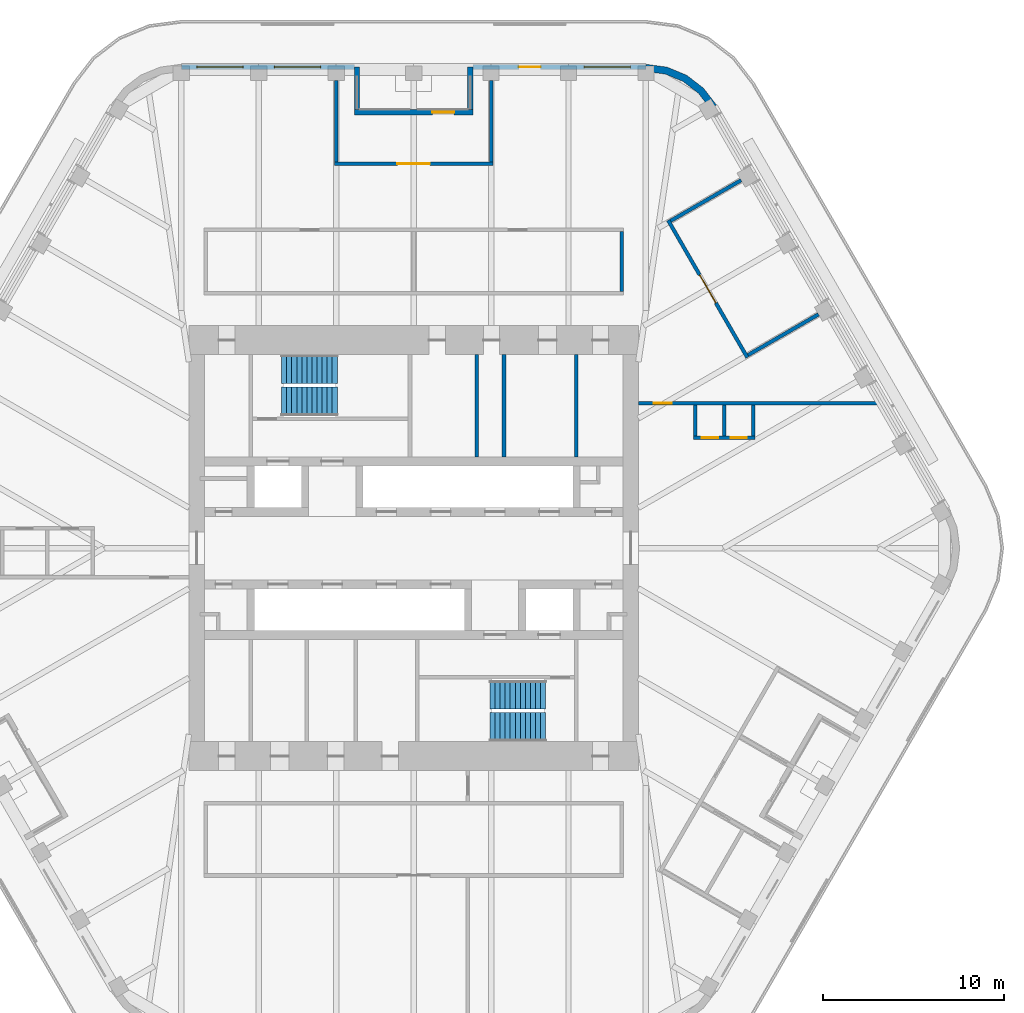
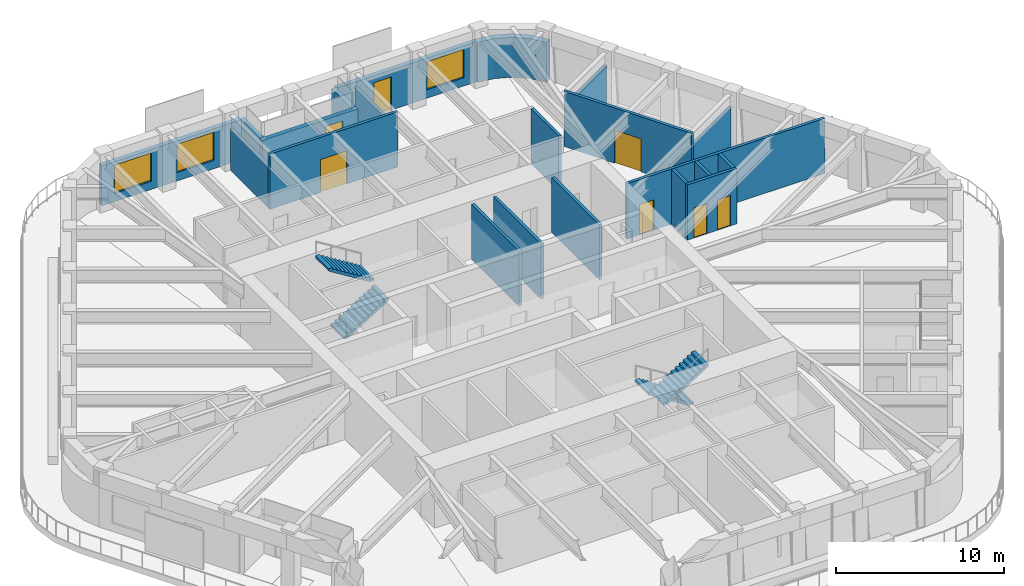
# One storey, part 16 of 19: 21 walls, 7 doors, 4 stair flights, 3 windows, 10 openings, 2 elements without a shape of their own.
"""IFC4 building model written with IfcOpenShell, lengths in metres."""

from ifc_helpers import new_model, si_unit, direction, frame, frame_2d, origin, place, context, subcontext, project, spatial, polyline, rectangle, outline, extrude, material, layer, layer_set, type_object, element, fill, aggregate, save


model = new_model("IFC4")

# Units and contexts
model_context = context("Model", 3, precision=1e-05, world=origin(), true_north=direction((0.0, 1.0)))
body_context = subcontext(model_context, "Body", "Model", "MODEL_VIEW")
ifc_project = project(units=[si_unit("LENGTHUNIT", "METRE"), si_unit("AREAUNIT", "SQUARE_METRE"), si_unit("VOLUMEUNIT", "CUBIC_METRE"), si_unit("PLANEANGLEUNIT", "RADIAN"), si_unit("MASSUNIT", "GRAM", prefix="KILO")], contexts=[model_context])

# Site, building, storey
site_placement = place(None, origin())
site = spatial("IfcSite", under=ifc_project, at=site_placement, CompositionType="ELEMENT")
building_placement = place(site_placement, origin())
building = spatial("IfcBuilding", under=site, at=building_placement, Name="Tarfa Lantern Tower", CompositionType="ELEMENT")
storey_placement = place(building_placement, frame((0.0, 0.0, 357.699951171875)))
storey = spatial("IfcBuildingStorey", under=building, at=storey_placement, Name="L81", CompositionType="ELEMENT", Elevation=357.699951171875)

# Wall, openings, door, window
ifc_material_1 = material(Name="Limestone cladding on blockwork", Category="masonry")
ifc_layer_1 = layer(ifc_material_1, 0.300048828125)
ifc_layer_set_1 = layer_set([ifc_layer_1], Name="EW1 STONE-CLAD WALL 300")
wall_type_1 = type_object("IfcWallType", Name="EW1 STONE-CLAD WALL 300", PredefinedType="SOLIDWALL", material=ifc_layer_set_1)
wall_1_placement = place(storey_placement, frame((12.845947265625, 26.60009765625, 0.0), z_axis=(0.0, 0.0, 1.0), x_axis=(-1.0, 0.0, 0.0)))
wall_1 = element("IfcWall", 1, at=wall_1_placement, inside=storey, type_object=wall_type_1, Name="Stone wall N", PredefinedType="SOLIDWALL", context=body_context, shape_type="SweptSolid", body=[
    extrude(rectangle(XDim=9.56396484375, YDim=0.300048828125, at=frame_2d((4.781982421875, 0.0))), origin(), (0.0, 0.0, 1.0), 2.900146484375),
])
opening_1_placement = place(wall_1_placement, frame((0.865966796875, 0.0, 0.60009765625)))
opening_1 = element("IfcOpeningElement", 2, at=opening_1_placement, cuts=wall_1, Name="Opening W17", PredefinedType="OPENING", context=body_context, shape_type="SweptSolid", body=[
    extrude(rectangle(XDim=2.550048828125, YDim=2.050048828125, at=frame_2d((1.27490234375, 1.02490234375))), frame((0.0, 0.159912109375, 0.0), z_axis=(0.0, -1.0, 0.0), x_axis=(1.0, 0.0, 0.0)), (0.0, 0.0, 1.0), 0.320068359375),
])
opening_2_placement = place(wall_1_placement, frame((5.822998046875, 0.0, 0.0)))
opening_2 = element("IfcOpeningElement", 3, at=opening_2_placement, cuts=wall_1, Name="Opening D38", PredefinedType="OPENING", context=body_context, shape_type="SweptSolid", body=[
    extrude(rectangle(XDim=1.199951171875, YDim=2.39990234375, at=frame_2d((0.60009765625, 1.199951171875))), frame((0.0, 0.159912109375, 0.0), z_axis=(0.0, -1.0, 0.0), x_axis=(1.0, 0.0, 0.0)), (0.0, 0.0, 1.0), 0.320068359375),
])
ifc_material_2 = material(Name="Aluminium framed glazed door", Category="aluminium")
door_type_1 = type_object("IfcDoorType", Name="BE3 BALCONY DOOR 1200x2400", OperationType="SINGLE_SWING_RIGHT", PredefinedType="DOOR", material=ifc_material_2)
door_1_placement = place(opening_2_placement, origin())
door_1 = element("IfcDoor", 4, at=door_1_placement, inside=storey, type_object=door_type_1, Name="Balcony door N", OperationType="SINGLE_SWING_LEFT", OverallHeight=2.39990234375, OverallWidth=1.199951171875, PredefinedType="DOOR", context=body_context, shape_type="SweptSolid", body=[
    extrude(rectangle(XDim=1.199951171875, YDim=2.39990234375, at=frame_2d((0.60009765625, 1.199951171875))), frame((0.0, 0.02490234375, 0.0), z_axis=(0.0, -1.0, 0.0), x_axis=(1.0, 0.0, 0.0)), (0.0, 0.0, 1.0), 0.050048828125),
])
fill(opening_2, door_1)
ifc_material_3 = material(Name="Aluminium frame, double glazed", Category="aluminium")
window_type = type_object("IfcWindowType", Name="W17 FULL-HEIGHT GLAZING 2550x2050", PartitioningType="SINGLE_PANEL", PredefinedType="WINDOW", material=ifc_material_3)
window_1_placement = place(opening_1_placement, origin())
window_1 = element("IfcWindow", 5, at=window_1_placement, inside=storey, type_object=window_type, Name="Window N 1", OverallHeight=2.050048828125, OverallWidth=2.550048828125, PartitioningType="SINGLE_PANEL", PredefinedType="WINDOW", context=body_context, shape_type="SweptSolid", body=[
    extrude(rectangle(XDim=2.550048828125, YDim=2.050048828125, at=frame_2d((1.27490234375, 1.02490234375))), frame((0.0, 0.030029296875, 0.0), z_axis=(0.0, -1.0, 0.0), x_axis=(1.0, 0.0, 0.0)), (0.0, 0.0, 1.0), 0.06005859375),
])
fill(opening_1, window_1)

# Wall, openings, windows
wall_2_placement = place(storey_placement, frame((-3.281982421875, 26.60009765625, 0.0), z_axis=(0.0, 0.0, 1.0), x_axis=(-1.0, 0.0, 0.0)))
wall_2 = element("IfcWall", 6, at=wall_2_placement, inside=storey, type_object=wall_type_1, Name="Stone wall NB", PredefinedType="SOLIDWALL", context=body_context, shape_type="SweptSolid", body=[
    extrude(rectangle(XDim=9.56396484375, YDim=0.300048828125, at=frame_2d((4.781982421875, 0.0))), origin(), (0.0, 0.0, 1.0), 2.900146484375),
])
opening_3_placement = place(wall_2_placement, frame((1.865966796875, 0.0, 0.60009765625)))
opening_3 = element("IfcOpeningElement", 7, at=opening_3_placement, cuts=wall_2, Name="Opening W17", PredefinedType="OPENING", context=body_context, shape_type="SweptSolid", body=[
    extrude(rectangle(XDim=2.550048828125, YDim=2.050048828125, at=frame_2d((1.27490234375, 1.02490234375))), frame((0.0, 0.159912109375, 0.0), z_axis=(0.0, -1.0, 0.0), x_axis=(1.0, 0.0, 0.0)), (0.0, 0.0, 1.0), 0.320068359375),
])
opening_4_placement = place(wall_2_placement, frame((6.14794921875, 0.0, 0.60009765625)))
opening_4 = element("IfcOpeningElement", 8, at=opening_4_placement, cuts=wall_2, Name="Opening W17", PredefinedType="OPENING", context=body_context, shape_type="SweptSolid", body=[
    extrude(rectangle(XDim=2.550048828125, YDim=2.050048828125, at=frame_2d((1.27490234375, 1.02490234375))), frame((0.0, 0.159912109375, 0.0), z_axis=(0.0, -1.0, 0.0), x_axis=(1.0, 0.0, 0.0)), (0.0, 0.0, 1.0), 0.320068359375),
])
window_2_placement = place(opening_3_placement, origin())
window_2 = element("IfcWindow", 9, at=window_2_placement, inside=storey, type_object=window_type, Name="Window NB 1", OverallHeight=2.050048828125, OverallWidth=2.550048828125, PartitioningType="SINGLE_PANEL", PredefinedType="WINDOW", context=body_context, shape_type="SweptSolid", body=[
    extrude(rectangle(XDim=2.550048828125, YDim=2.050048828125, at=frame_2d((1.27490234375, 1.02490234375))), frame((0.0, 0.030029296875, 0.0), z_axis=(0.0, -1.0, 0.0), x_axis=(1.0, 0.0, 0.0)), (0.0, 0.0, 1.0), 0.06005859375),
])
fill(opening_3, window_2)
window_3_placement = place(opening_4_placement, origin())
window_3 = element("IfcWindow", 10, at=window_3_placement, inside=storey, type_object=window_type, Name="Window NB 2", OverallHeight=2.050048828125, OverallWidth=2.550048828125, PartitioningType="SINGLE_PANEL", PredefinedType="WINDOW", context=body_context, shape_type="SweptSolid", body=[
    extrude(rectangle(XDim=2.550048828125, YDim=2.050048828125, at=frame_2d((1.27490234375, 1.02490234375))), frame((0.0, 0.030029296875, 0.0), z_axis=(0.0, -1.0, 0.0), x_axis=(1.0, 0.0, 0.0)), (0.0, 0.0, 1.0), 0.06005859375),
])
fill(opening_4, window_3)

# Walls
for number, where, z_axis, x_axis, name in (
    (11, (3.132080078125, 26.60009765625, 0.0), (0.0, 0.0, 1.0), (0.0, -1.0, 0.0), "Terrace return N 1"),
    (12, (-3.132080078125, 26.60009765625, 0.0), (0.0, 0.0, 1.0), (0.0, -1.0, 0.0), "Terrace return N 2"),
):
    element("IfcWall", number, at=place(storey_placement, frame(where, z_axis=z_axis, x_axis=x_axis)), inside=storey, type_object=wall_type_1, Name=name, PredefinedType="SOLIDWALL", context=body_context, shape_type="SweptSolid", body=[
        extrude(rectangle(XDim=2.35009765625, YDim=0.300048828125, at=frame_2d((1.175048828125, 0.0))), origin(), (0.0, 0.0, 1.0), 2.900146484375),
    ])

# Wall, opening, door
wall_3_placement = place(storey_placement, frame((3.281982421875, 24.10009765625, 0.0), z_axis=(0.0, 0.0, 1.0), x_axis=(-1.0, 0.0, 0.0)))
wall_3 = element("IfcWall", 13, at=wall_3_placement, inside=storey, type_object=wall_type_1, Name="Stone wall NS", PredefinedType="SOLIDWALL", context=body_context, shape_type="SweptSolid", body=[
    extrude(rectangle(XDim=6.56396484375, YDim=0.300048828125, at=frame_2d((3.281982421875, 0.0))), origin(), (0.0, 0.0, 1.0), 2.900146484375),
])
opening_5_placement = place(wall_3_placement, frame((1.041015625, 0.0, 0.0)))
opening_5 = element("IfcOpeningElement", 14, at=opening_5_placement, cuts=wall_3, Name="Opening D39", PredefinedType="OPENING", context=body_context, shape_type="SweptSolid", body=[
    extrude(rectangle(XDim=1.199951171875, YDim=2.39990234375, at=frame_2d((0.60009765625, 1.199951171875))), frame((0.0, 0.159912109375, 0.0), z_axis=(0.0, -1.0, 0.0), x_axis=(1.0, 0.0, 0.0)), (0.0, 0.0, 1.0), 0.320068359375),
])
door_2_placement = place(opening_5_placement, origin())
door_2 = element("IfcDoor", 15, at=door_2_placement, inside=storey, type_object=door_type_1, Name="Balcony door NS", OperationType="SINGLE_SWING_RIGHT", OverallHeight=2.39990234375, OverallWidth=1.199951171875, PredefinedType="DOOR", context=body_context, shape_type="SweptSolid", body=[
    extrude(rectangle(XDim=1.199951171875, YDim=2.39990234375, at=frame_2d((0.60009765625, 1.199951171875))), frame((0.0, 0.02490234375, 0.0), z_axis=(0.0, -1.0, 0.0), x_axis=(1.0, 0.0, 0.0)), (0.0, 0.0, 1.0), 0.050048828125),
])
fill(opening_5, door_2)

# Walls
ifc_layer_2 = layer(ifc_material_1, 0.39990234375)
ifc_layer_set_2 = layer_set([ifc_layer_2], Name="EW2 CURVED STONE CORNER 400")
wall_type_2 = type_object("IfcWallType", Name="EW2 CURVED STONE CORNER 400", PredefinedType="SOLIDWALL", material=ifc_layer_set_2)
wall_4_placement = place(storey_placement, origin())
element("IfcWall", 16, at=wall_4_placement, inside=storey, type_object=wall_type_2, Name="Stone corner NE-N", PredefinedType="SOLIDWALL", context=body_context, shape_type="SweptSolid", body=[
    extrude(outline(polyline([(16.7431640625, 24.5), (16.028076171875, 25.431884765625), (15.095947265625, 26.147216796875), (14.0107421875, 26.5966796875), (12.845947265625, 26.75), (12.845947265625, 26.35009765625), (13.9072265625, 26.210205078125), (14.89599609375, 25.80078125), (15.7451171875, 25.149169921875), (16.396728515625, 24.300048828125), (16.7431640625, 24.5)])), origin(), (0.0, 0.0, 1.0), 2.900146484375),
])
ifc_material_4 = material(Name="Concrete blockwork", Category="masonry")
ifc_layer_3 = layer(ifc_material_4, 0.199951171875)
ifc_layer_set_3 = layer_set([ifc_layer_3], Name="IW1 BLOCKWORK PARTITION 200 EI 120")
wall_type_3 = type_object("IfcWallType", Name="IW1 BLOCKWORK PARTITION 200 EI 120", PredefinedType="PARTITIONING", material=ifc_layer_set_3)
for number, where, z_axis, x_axis, name in (
    (17, (9.0, 5.050048828125, 0.0), (0.0, 0.0, 1.0), (0.0, 1.0, 0.0), "Core partition"),
    (18, (3.5, 5.050048828125, 0.0), (0.0, 0.0, 1.0), (0.0, 1.0, 0.0), "Core partition"),
    (19, (5.0, 5.050048828125, 0.0), (0.0, 0.0, 1.0), (0.0, 1.0, 0.0), "Core partition"),
):
    element("IfcWall", number, at=place(storey_placement, frame(where, z_axis=z_axis, x_axis=x_axis)), inside=storey, type_object=wall_type_3, Name=name, PredefinedType="PARTITIONING", context=body_context, shape_type="SweptSolid", body=[
        extrude(rectangle(XDim=5.64990234375, YDim=0.199951171875, at=frame_2d((2.824951171875, 0.0))), origin(), (0.0, 0.0, 1.0), 4.0),
    ])
ifc_material_5 = material(Name="Gypsum board on steel studs", Category="steel")
ifc_layer_4 = layer(ifc_material_5, 0.2099609375)
ifc_layer_set_4 = layer_set([ifc_layer_4], Name="IW2 ACOUSTIC PARTITION 200")
wall_type_4 = type_object("IfcWallType", Name="IW2 ACOUSTIC PARTITION 200", PredefinedType="PARTITIONING", material=ifc_layer_set_4)
wall_5_placement = place(storey_placement, frame((11.5, 14.199951171875, 0.0), z_axis=(0.0, 0.0, 1.0), x_axis=(0.0, 1.0, 0.0)))
element("IfcWall", 20, at=wall_5_placement, inside=storey, type_object=wall_type_4, Name="Partition", PredefinedType="PARTITIONING", context=body_context, shape_type="SweptSolid", body=[
    extrude(rectangle(XDim=3.300048828125, YDim=0.199951171875, at=frame_2d((1.64990234375, 0.0))), origin(), (0.0, 0.0, 1.0), 4.0),
])

# Wall, opening, door
wall_6_placement = place(storey_placement, frame((4.382080078125, 21.25, 0.0), z_axis=(0.0, 0.0, 1.0), x_axis=(-1.0, 0.0, 0.0)))
wall_6 = element("IfcWall", 21, at=wall_6_placement, inside=storey, type_object=wall_type_4, Name="Partition", PredefinedType="PARTITIONING", context=body_context, shape_type="SweptSolid", body=[
    extrude(rectangle(XDim=8.76416015625, YDim=0.199951171875, at=frame_2d((4.382080078125, 0.0))), origin(), (0.0, 0.0, 1.0), 4.0),
])
opening_6_placement = place(wall_6_placement, frame((3.48193359375, 0.0, 0.0)))
opening_6 = element("IfcOpeningElement", 22, at=opening_6_placement, cuts=wall_6, Name="Opening D21", PredefinedType="OPENING", context=body_context, shape_type="SweptSolid", body=[
    extrude(rectangle(XDim=1.800048828125, YDim=2.39990234375, at=frame_2d((0.89990234375, 1.199951171875))), frame((0.0, 0.10986328125, 0.0), z_axis=(0.0, -1.0, 0.0), x_axis=(1.0, 0.0, 0.0)), (0.0, 0.0, 1.0), 0.219970703125),
])
ifc_material_6 = material(Name="Timber door", Category="wood")
door_type_2 = type_object("IfcDoorType", Name="DR2 ROOM DOOR 1800x2400", OperationType="DOUBLE_DOOR_SINGLE_SWING", PredefinedType="DOOR", material=ifc_material_6)
door_3_placement = place(opening_6_placement, frame((1.800048828125, 0.0, 0.0), z_axis=(0.0, 0.0, 1.0), x_axis=(-1.0, 0.0, 0.0)))
door_3 = element("IfcDoor", 23, at=door_3_placement, inside=storey, type_object=door_type_2, Name="Briefing room door", OperationType="DOUBLE_DOOR_SINGLE_SWING", OverallHeight=2.39990234375, OverallWidth=1.800048828125, PredefinedType="DOOR", context=body_context, shape_type="SweptSolid", body=[
    extrude(rectangle(XDim=1.800048828125, YDim=2.39990234375, at=frame_2d((0.89990234375, 1.199951171875))), frame((0.0, 0.02490234375, 0.0), z_axis=(0.0, -1.0, 0.0), x_axis=(1.0, 0.0, 0.0)), (0.0, 0.0, 1.0), 0.050048828125),
])
fill(opening_6, door_3)

# Walls
for number, where, z_axis, x_axis, name in (
    (24, (4.281982421875, 21.35009765625, 0.0), (0.0, 0.0, 1.0), (0.0, 1.0, 0.0), "Partition"),
    (25, (-4.281982421875, 21.35009765625, 0.0), (0.0, 0.0, 1.0), (0.0, 1.0, 0.0), "Partition"),
):
    element("IfcWall", number, at=place(storey_placement, frame(where, z_axis=z_axis, x_axis=x_axis)), inside=storey, type_object=wall_type_4, Name=name, PredefinedType="PARTITIONING", context=body_context, shape_type="SweptSolid", body=[
        extrude(rectangle(XDim=4.5, YDim=0.199951171875, at=frame_2d((2.25, 0.0))), origin(), (0.0, 0.0, 1.0), 2.991943359375),
    ])

# Wall, opening, door
wall_7_placement = place(storey_placement, frame((18.453125, 10.538330078125, 0.0), z_axis=(0.0, 0.0, 1.0), x_axis=(-0.500006995557, 0.86602136486, 0.0)))
wall_7 = element("IfcWall", 26, at=wall_7_placement, inside=storey, type_object=wall_type_4, Name="Partition", PredefinedType="PARTITIONING", context=body_context, shape_type="SweptSolid", body=[
    extrude(rectangle(XDim=8.763916015625, YDim=0.199951171875, at=frame_2d((4.3818359375, 0.0))), origin(), (0.0, 0.0, 1.0), 4.0),
])
opening_7_placement = place(wall_7_placement, frame((3.48193359375, 0.0, 0.0)))
opening_7 = element("IfcOpeningElement", 27, at=opening_7_placement, cuts=wall_7, Name="Opening D22", PredefinedType="OPENING", context=body_context, shape_type="SweptSolid", body=[
    extrude(rectangle(XDim=1.800048828125, YDim=2.39990234375, at=frame_2d((0.89990234375, 1.199951171875))), frame((0.0, 0.10986328125, 0.0), z_axis=(0.0, -1.0, 0.0), x_axis=(1.0, 0.0, 0.0)), (0.0, 0.0, 1.0), 0.219970703125),
])
door_4_placement = place(opening_7_placement, frame((1.800048828125, 0.0, 0.0), z_axis=(0.0, 0.0, 1.0), x_axis=(-1.0, 0.0, 0.0)))
door_4 = element("IfcDoor", 28, at=door_4_placement, inside=storey, type_object=door_type_2, Name="Majlis door", OperationType="DOUBLE_DOOR_SINGLE_SWING", OverallHeight=2.39990234375, OverallWidth=1.800048828125, PredefinedType="DOOR", context=body_context, shape_type="SweptSolid", body=[
    extrude(rectangle(XDim=1.800048828125, YDim=2.39990234375, at=frame_2d((0.89990234375, 1.199951171875))), frame((0.0, 0.02490234375, 0.0), z_axis=(0.0, -1.0, 0.0), x_axis=(1.0, 0.0, 0.0)), (0.0, 0.0, 1.0), 0.050048828125),
])
fill(opening_7, door_4)

# Walls
wall_8_placement = place(storey_placement, frame((18.48974609375, 10.675048828125, 0.0), z_axis=(0.0, 0.0, 1.0), x_axis=(0.866017533419, 0.500013631625, 0.0)))
element("IfcWall", 29, at=wall_8_placement, inside=storey, type_object=wall_type_4, Name="Partition", PredefinedType="PARTITIONING", context=body_context, shape_type="SweptSolid", body=[
    extrude(rectangle(XDim=4.499755859375, YDim=0.199951171875, at=frame_2d((2.25, 0.0))), origin(), (0.0, 0.0, 1.0), 3.08154296875),
])
wall_9_placement = place(storey_placement, frame((14.20751953125, 18.091552734375, 0.0), z_axis=(0.0, 0.0, 1.0), x_axis=(0.866031096941, 0.499990139034, 0.0)))
element("IfcWall", 30, at=wall_9_placement, inside=storey, type_object=wall_type_4, Name="Partition", PredefinedType="PARTITIONING", context=body_context, shape_type="SweptSolid", body=[
    extrude(rectangle(XDim=4.5, YDim=0.199951171875, at=frame_2d((2.25, 0.0))), origin(), (0.0, 0.0, 1.0), 3.08154296875),
])

# Wall, opening, door
wall_10_placement = place(storey_placement, frame((12.425048828125, 8.0, 0.0), z_axis=(0.0, 0.0, 1.0), x_axis=(1.0, 0.0, 0.0)))
wall_10 = element("IfcWall", 31, at=wall_10_placement, inside=storey, type_object=wall_type_4, Name="Partition", PredefinedType="PARTITIONING", context=body_context, shape_type="SweptSolid", body=[
    extrude(rectangle(XDim=13.59033203125, YDim=0.199951171875, at=frame_2d((6.795166015625, 0.0))), origin(), (0.0, 0.0, 1.0), 4.0),
])
opening_8_placement = place(wall_10_placement, frame((0.859130859375, 0.0, 0.0)))
opening_8 = element("IfcOpeningElement", 32, at=opening_8_placement, cuts=wall_10, Name="Opening D35", PredefinedType="OPENING", context=body_context, shape_type="SweptSolid", body=[
    extrude(rectangle(XDim=1.0, YDim=2.199951171875, at=frame_2d((0.5, 1.10009765625))), frame((0.0, 0.10986328125, 0.0), z_axis=(0.0, -1.0, 0.0), x_axis=(1.0, 0.0, 0.0)), (0.0, 0.0, 1.0), 0.219970703125),
])
door_type_3 = type_object("IfcDoorType", Name="DR1 ROOM DOOR 1000x2200", OperationType="SINGLE_SWING_LEFT", PredefinedType="DOOR", material=ifc_material_6)
door_5_placement = place(opening_8_placement, frame((1.0, 0.0, 0.0), z_axis=(0.0, 0.0, 1.0), x_axis=(-1.0, 0.0, 0.0)))
door_5 = element("IfcDoor", 33, at=door_5_placement, inside=storey, type_object=door_type_3, Name="Zone door", OperationType="SINGLE_SWING_LEFT", OverallHeight=2.199951171875, OverallWidth=1.0, PredefinedType="DOOR", context=body_context, shape_type="SweptSolid", body=[
    extrude(rectangle(XDim=1.0, YDim=2.199951171875, at=frame_2d((0.5, 1.10009765625))), frame((0.0, 0.02490234375, 0.0), z_axis=(0.0, -1.0, 0.0), x_axis=(1.0, 0.0, 0.0)), (0.0, 0.0, 1.0), 0.050048828125),
])
fill(opening_8, door_5)

# Wall, openings, doors
wall_11_placement = place(storey_placement, frame((15.481689453125, 6.10009765625, 0.0), z_axis=(0.0, 0.0, 1.0), x_axis=(1.0, 0.0, 0.0)))
wall_11 = element("IfcWall", 34, at=wall_11_placement, inside=storey, type_object=wall_type_4, Name="Partition", PredefinedType="PARTITIONING", context=body_context, shape_type="SweptSolid", body=[
    extrude(rectangle(XDim=3.39990234375, YDim=0.199951171875, at=frame_2d((1.699951171875, 0.0))), origin(), (0.0, 0.0, 1.0), 4.0),
])
opening_9_placement = place(wall_11_placement, frame((0.449951171875, 0.0, 0.0)))
opening_9 = element("IfcOpeningElement", 35, at=opening_9_placement, cuts=wall_11, Name="Opening D33", PredefinedType="OPENING", context=body_context, shape_type="SweptSolid", body=[
    extrude(rectangle(XDim=0.89990234375, YDim=2.199951171875, at=frame_2d((0.449951171875, 1.10009765625))), frame((0.0, 0.10986328125, 0.0), z_axis=(0.0, -1.0, 0.0), x_axis=(1.0, 0.0, 0.0)), (0.0, 0.0, 1.0), 0.219970703125),
])
opening_10_placement = place(wall_11_placement, frame((2.050048828125, 0.0, 0.0)))
opening_10 = element("IfcOpeningElement", 36, at=opening_10_placement, cuts=wall_11, Name="Opening D34", PredefinedType="OPENING", context=body_context, shape_type="SweptSolid", body=[
    extrude(rectangle(XDim=0.89990234375, YDim=2.199951171875, at=frame_2d((0.449951171875, 1.10009765625))), frame((0.0, 0.10986328125, 0.0), z_axis=(0.0, -1.0, 0.0), x_axis=(1.0, 0.0, 0.0)), (0.0, 0.0, 1.0), 0.219970703125),
])
door_type_4 = type_object("IfcDoorType", Name="DR3 ROOM DOOR 900x2200", OperationType="SINGLE_SWING_LEFT", PredefinedType="DOOR", material=ifc_material_6)
door_6_placement = place(opening_9_placement, origin())
door_6 = element("IfcDoor", 37, at=door_6_placement, inside=storey, type_object=door_type_4, Name="Phone booth door", OperationType="SINGLE_SWING_RIGHT", OverallHeight=2.199951171875, OverallWidth=0.89990234375, PredefinedType="DOOR", context=body_context, shape_type="SweptSolid", body=[
    extrude(rectangle(XDim=0.89990234375, YDim=2.199951171875, at=frame_2d((0.449951171875, 1.10009765625))), frame((0.0, 0.02490234375, 0.0), z_axis=(0.0, -1.0, 0.0), x_axis=(1.0, 0.0, 0.0)), (0.0, 0.0, 1.0), 0.050048828125),
])
fill(opening_9, door_6)
door_7_placement = place(opening_10_placement, origin())
door_7 = element("IfcDoor", 38, at=door_7_placement, inside=storey, type_object=door_type_4, Name="Phone booth door", OperationType="SINGLE_SWING_LEFT", OverallHeight=2.199951171875, OverallWidth=0.89990234375, PredefinedType="DOOR", context=body_context, shape_type="SweptSolid", body=[
    extrude(rectangle(XDim=0.89990234375, YDim=2.199951171875, at=frame_2d((0.449951171875, 1.10009765625))), frame((0.0, 0.02490234375, 0.0), z_axis=(0.0, -1.0, 0.0), x_axis=(1.0, 0.0, 0.0)), (0.0, 0.0, 1.0), 0.050048828125),
])
fill(opening_10, door_7)

# Walls
for number, where, z_axis, x_axis, name in (
    (39, (15.58154296875, 7.89990234375, 0.0), (0.0, 0.0, 1.0), (0.0, -1.0, 0.0), "Partition"),
    (40, (17.181640625, 7.89990234375, 0.0), (0.0, 0.0, 1.0), (0.0, -1.0, 0.0), "Partition"),
    (41, (18.781494140625, 7.89990234375, 0.0), (0.0, 0.0, 1.0), (0.0, -1.0, 0.0), "Partition"),
):
    element("IfcWall", number, at=place(storey_placement, frame(where, z_axis=z_axis, x_axis=x_axis)), inside=storey, type_object=wall_type_4, Name=name, PredefinedType="PARTITIONING", context=body_context, shape_type="SweptSolid", body=[
        extrude(rectangle(XDim=1.699951171875, YDim=0.199951171875, at=frame_2d((0.85009765625, 0.0))), origin(), (0.0, 0.0, 1.0), 4.0),
    ])

# Stair, stair flights
ifc_material_7 = material(Name="Concrete C40/50", Category="concrete")
stair_type = type_object("IfcStairType", Name="ST-T10 HALF-TURN STAIR 4200 RISE", PredefinedType="HALF_TURN_STAIR", material=ifc_material_7)
stair_1_placement = place(storey_placement, origin())
stair_1 = element("IfcStair", 42, at=stair_1_placement, inside=storey, type_object=stair_type, Name="Stair ST1", PredefinedType="HALF_TURN_STAIR")
stair_flight_type = type_object("IfcStairFlightType", Name="SF1 STAIR FLIGHT", PredefinedType="STRAIGHT", material=ifc_material_7)
stair_flight_1_placement = place(storey_placement, frame((-7.300048828125, 8.10009765625, 0.0), z_axis=(0.0, 0.0, 1.0), x_axis=(1.0, 0.0, 0.0)))
stair_flight_1 = element("IfcStairFlight", 43, at=stair_flight_1_placement, type_object=stair_flight_type, Name="ST1 flight 1", NumberOfRisers=12, NumberOfTreads=11, PredefinedType="STRAIGHT", RiserHeight=0.175, TreadLength=0.28, context=body_context, shape_type="SweptSolid", body=[
    extrude(outline(polyline([(0.0, 0.0), (0.0, 0.175048828125), (0.280029296875, 0.175048828125), (0.280029296875, 0.35009765625), (0.56005859375, 0.35009765625), (0.56005859375, 0.52490234375), (0.840087890625, 0.52490234375), (0.840087890625, 0.699951171875), (1.1201171875, 0.699951171875), (1.1201171875, 0.875), (1.39990234375, 0.875), (1.39990234375, 1.050048828125), (1.679931640625, 1.050048828125), (1.679931640625, 1.22509765625), (1.9599609375, 1.22509765625), (1.9599609375, 1.39990234375), (2.239990234375, 1.39990234375), (2.239990234375, 1.574951171875), (2.52001953125, 1.574951171875), (2.52001953125, 1.75), (2.800048828125, 1.75), (2.800048828125, 1.925048828125), (3.080078125, 1.925048828125), (3.080078125, 2.10009765625), (3.080078125, 1.748291015625), (0.28271484375, 0.0), (0.0, 0.0)])), frame((0.0, 0.800048828125, 0.0), z_axis=(0.0, -1.0, 0.0), x_axis=(1.0, 0.0, 0.0)), (0.0, 0.0, 1.0), 1.60009765625),
])
stair_flight_2_placement = place(storey_placement, frame((-4.219970703125, 9.89990234375, 2.10009765625), z_axis=(0.0, 0.0, 1.0), x_axis=(-1.0, 0.0, 0.0)))
stair_flight_2 = element("IfcStairFlight", 44, at=stair_flight_2_placement, type_object=stair_flight_type, Name="ST1 flight 2", NumberOfRisers=12, NumberOfTreads=11, PredefinedType="STRAIGHT", RiserHeight=0.175, TreadLength=0.28, context=body_context, shape_type="SweptSolid", body=[
    extrude(outline(polyline([(0.0, 0.0), (0.0, 0.175048828125), (0.280029296875, 0.175048828125), (0.280029296875, 0.35009765625), (0.56005859375, 0.35009765625), (0.56005859375, 0.52490234375), (0.840087890625, 0.52490234375), (0.840087890625, 0.699951171875), (1.1201171875, 0.699951171875), (1.1201171875, 0.875), (1.39990234375, 0.875), (1.39990234375, 1.050048828125), (1.679931640625, 1.050048828125), (1.679931640625, 1.22509765625), (1.9599609375, 1.22509765625), (1.9599609375, 1.39990234375), (2.239990234375, 1.39990234375), (2.239990234375, 1.574951171875), (2.52001953125, 1.574951171875), (2.52001953125, 1.75), (2.800048828125, 1.75), (2.800048828125, 1.925048828125), (3.080078125, 1.925048828125), (3.080078125, 2.10009765625), (3.080078125, 1.748291015625), (0.28271484375, 0.0), (0.0, 0.0)])), frame((0.0, 0.800048828125, 0.0), z_axis=(0.0, -1.0, 0.0), x_axis=(1.0, 0.0, 0.0)), (0.0, 0.0, 1.0), 1.60009765625),
])
aggregate(stair_1, [stair_flight_1, stair_flight_2])

stair_2_placement = place(storey_placement, origin())
stair_2 = element("IfcStair", 45, at=stair_2_placement, inside=storey, type_object=stair_type, Name="Stair ST2", PredefinedType="HALF_TURN_STAIR")
stair_flight_3_placement = place(storey_placement, frame((7.300048828125, -8.10009765625, 0.0), z_axis=(0.0, 0.0, 1.0), x_axis=(-1.0, 0.0, 0.0)))
stair_flight_3 = element("IfcStairFlight", 46, at=stair_flight_3_placement, type_object=stair_flight_type, Name="ST2 flight 1", NumberOfRisers=12, NumberOfTreads=11, PredefinedType="STRAIGHT", RiserHeight=0.175, TreadLength=0.28, context=body_context, shape_type="SweptSolid", body=[
    extrude(outline(polyline([(0.0, 0.0), (0.0, 0.175048828125), (0.280029296875, 0.175048828125), (0.280029296875, 0.35009765625), (0.56005859375, 0.35009765625), (0.56005859375, 0.52490234375), (0.840087890625, 0.52490234375), (0.840087890625, 0.699951171875), (1.1201171875, 0.699951171875), (1.1201171875, 0.875), (1.39990234375, 0.875), (1.39990234375, 1.050048828125), (1.679931640625, 1.050048828125), (1.679931640625, 1.22509765625), (1.9599609375, 1.22509765625), (1.9599609375, 1.39990234375), (2.239990234375, 1.39990234375), (2.239990234375, 1.574951171875), (2.52001953125, 1.574951171875), (2.52001953125, 1.75), (2.800048828125, 1.75), (2.800048828125, 1.925048828125), (3.080078125, 1.925048828125), (3.080078125, 2.10009765625), (3.080078125, 1.748291015625), (0.28271484375, 0.0), (0.0, 0.0)])), frame((0.0, 0.800048828125, 0.0), z_axis=(0.0, -1.0, 0.0), x_axis=(1.0, 0.0, 0.0)), (0.0, 0.0, 1.0), 1.60009765625),
])
stair_flight_4_placement = place(storey_placement, frame((4.219970703125, -9.89990234375, 2.10009765625), z_axis=(0.0, 0.0, 1.0), x_axis=(1.0, 0.0, 0.0)))
stair_flight_4 = element("IfcStairFlight", 47, at=stair_flight_4_placement, type_object=stair_flight_type, Name="ST2 flight 2", NumberOfRisers=12, NumberOfTreads=11, PredefinedType="STRAIGHT", RiserHeight=0.175, TreadLength=0.28, context=body_context, shape_type="SweptSolid", body=[
    extrude(outline(polyline([(0.0, 0.0), (0.0, 0.175048828125), (0.280029296875, 0.175048828125), (0.280029296875, 0.35009765625), (0.56005859375, 0.35009765625), (0.56005859375, 0.52490234375), (0.840087890625, 0.52490234375), (0.840087890625, 0.699951171875), (1.1201171875, 0.699951171875), (1.1201171875, 0.875), (1.39990234375, 0.875), (1.39990234375, 1.050048828125), (1.679931640625, 1.050048828125), (1.679931640625, 1.22509765625), (1.9599609375, 1.22509765625), (1.9599609375, 1.39990234375), (2.239990234375, 1.39990234375), (2.239990234375, 1.574951171875), (2.52001953125, 1.574951171875), (2.52001953125, 1.75), (2.800048828125, 1.75), (2.800048828125, 1.925048828125), (3.080078125, 1.925048828125), (3.080078125, 2.10009765625), (3.080078125, 1.748291015625), (0.28271484375, 0.0), (0.0, 0.0)])), frame((0.0, 0.800048828125, 0.0), z_axis=(0.0, -1.0, 0.0), x_axis=(1.0, 0.0, 0.0)), (0.0, 0.0, 1.0), 1.60009765625),
])
aggregate(stair_2, [stair_flight_3, stair_flight_4])

save(model, "model.ifc")
